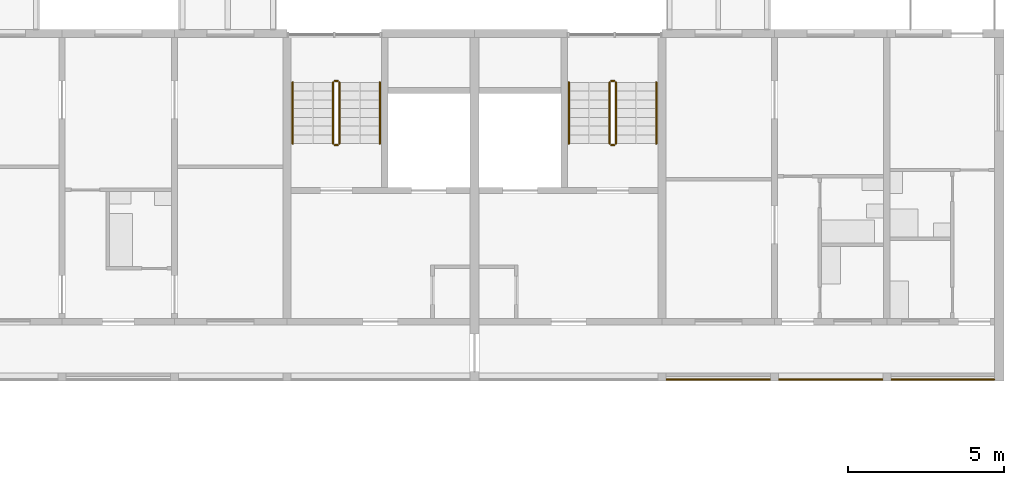
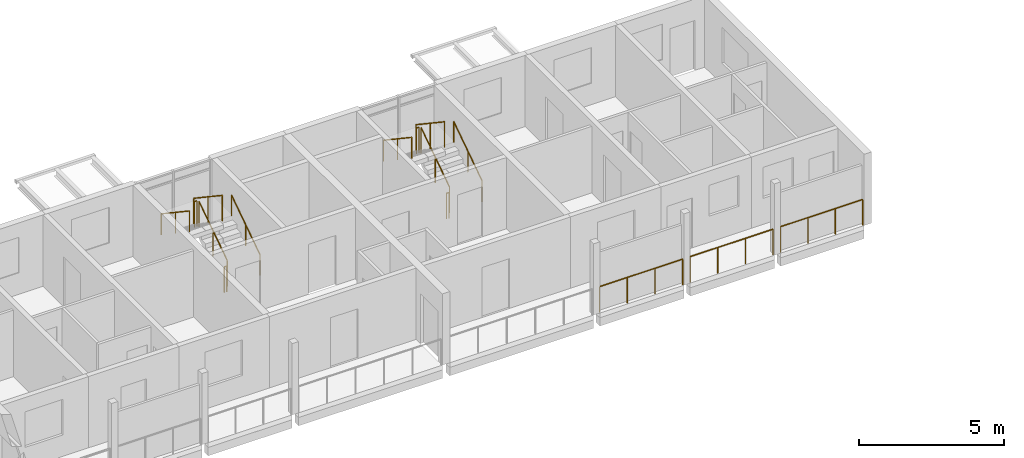
# One storey, part 95 of 99: 15 railings.
"""IFC4 building model written with IfcOpenShell, lengths in metres."""

from ifc_helpers import new_model, si_unit, direction, frame, origin, origin_2d, place, context, subcontext, project, spatial, circle, extrude, material, type_object, element, save


model = new_model("IFC4")

# Units and contexts
model_context = context("Model", 3, precision=1e-05, world=origin(), true_north=direction((0.0, 1.0)))
body_context = subcontext(model_context, "Body", "Model", "MODEL_VIEW")
ifc_project = project(units=[si_unit("LENGTHUNIT", "METRE"), si_unit("AREAUNIT", "SQUARE_METRE"), si_unit("VOLUMEUNIT", "CUBIC_METRE"), si_unit("PLANEANGLEUNIT", "RADIAN"), si_unit("MASSUNIT", "GRAM", prefix="KILO")], contexts=[model_context])

# Site, building, storey
site_placement = place(None, origin())
site = spatial("IfcSite", under=ifc_project, at=site_placement, CompositionType="ELEMENT")
building_placement = place(site_placement, origin())
building = spatial("IfcBuilding", under=site, at=building_placement, Name="Ridgestep Commons", CompositionType="ELEMENT")
storey_placement = place(building_placement, frame((0.0, 0.0, 15.0)))
storey = spatial("IfcBuildingStorey", under=building, at=storey_placement, Name="L05", CompositionType="ELEMENT", Elevation=15.0)

# Railings
ifc_material_1 = material(Name="Structural steel S355JR", Category="steel")
railing_type_1 = type_object("IfcRailingType", Name="Guard 1100", PredefinedType="GUARDRAIL", material=ifc_material_1)
railing_1_placement = place(storey_placement, frame((236.946044921875, 66.050048828125, 0.0)))
element("IfcRailing", 1, at=railing_1_placement, inside=storey, type_object=railing_type_1, Name="Gallery guard C 05.22", PredefinedType="GUARDRAIL", context=body_context, shape_type="SweptSolid", body=[
    extrude(circle(Radius=0.02392578125, at=origin_2d()), frame((0.0, 0.0, 1.076171875), z_axis=(1.0, 0.0, 0.0), x_axis=(0.0, 1.0, 0.0)), (0.0, 0.0, 1.0), 3.307861328125),
    extrude(circle(Radius=0.02099609375, at=origin_2d()), origin(), (0.0, 0.0, 1.0), 1.052001953125),
    extrude(circle(Radius=0.02099609375, at=origin_2d()), frame((1.1025390625, 0.0, 0.0)), (0.0, 0.0, 1.0), 1.052001953125),
    extrude(circle(Radius=0.02099609375, at=origin_2d()), frame((2.205322265625, 0.0, 0.0)), (0.0, 0.0, 1.0), 1.052001953125),
    extrude(circle(Radius=0.02099609375, at=origin_2d()), frame((3.307861328125, 0.0, 0.0)), (0.0, 0.0, 1.0), 1.052001953125),
])
railing_2_placement = place(storey_placement, frame((240.5458984375, 66.050048828125, 0.0)))
element("IfcRailing", 2, at=railing_2_placement, inside=storey, type_object=railing_type_1, Name="Gallery guard C 05.23", PredefinedType="GUARDRAIL", context=body_context, shape_type="SweptSolid", body=[
    extrude(circle(Radius=0.02392578125, at=origin_2d()), frame((0.0, 0.0, 1.076171875), z_axis=(1.0, 0.0, 0.0), x_axis=(0.0, 1.0, 0.0)), (0.0, 0.0, 1.0), 3.30810546875),
    extrude(circle(Radius=0.02099609375, at=origin_2d()), origin(), (0.0, 0.0, 1.0), 1.052001953125),
    extrude(circle(Radius=0.02099609375, at=origin_2d()), frame((1.102783203125, 0.0, 0.0)), (0.0, 0.0, 1.0), 1.052001953125),
    extrude(circle(Radius=0.02099609375, at=origin_2d()), frame((2.205322265625, 0.0, 0.0)), (0.0, 0.0, 1.0), 1.052001953125),
    extrude(circle(Radius=0.02099609375, at=origin_2d()), frame((3.30810546875, 0.0, 0.0)), (0.0, 0.0, 1.0), 1.052001953125),
])
railing_3_placement = place(storey_placement, frame((244.14599609375, 66.050048828125, 0.0)))
element("IfcRailing", 3, at=railing_3_placement, inside=storey, type_object=railing_type_1, Name="Gallery guard C 05.24", PredefinedType="GUARDRAIL", context=body_context, shape_type="SweptSolid", body=[
    extrude(circle(Radius=0.02392578125, at=origin_2d()), frame((0.0, 0.0, 1.076171875), z_axis=(1.0, 0.0, 0.0), x_axis=(0.0, 1.0, 0.0)), (0.0, 0.0, 1.0), 3.282958984375),
    extrude(circle(Radius=0.02099609375, at=origin_2d()), origin(), (0.0, 0.0, 1.0), 1.052001953125),
    extrude(circle(Radius=0.02099609375, at=origin_2d()), frame((1.09423828125, 0.0, 0.0)), (0.0, 0.0, 1.0), 1.052001953125),
    extrude(circle(Radius=0.02099609375, at=origin_2d()), frame((2.188720703125, 0.0, 0.0)), (0.0, 0.0, 1.0), 1.052001953125),
    extrude(circle(Radius=0.02099609375, at=origin_2d()), frame((3.282958984375, 0.0, 0.0)), (0.0, 0.0, 1.0), 1.052001953125),
])
ifc_material_2 = material(Name="Structural steel S355JR", Category="steel")
railing_type_2 = type_object("IfcRailingType", Name="Stair guard 1100", PredefinedType="GUARDRAIL", material=ifc_material_2)
railing_4_placement = place(storey_placement, frame((226.47509765625, 73.60009765625, 0.1875)))
element("IfcRailing", 4, at=railing_4_placement, inside=storey, type_object=railing_type_2, Name="L05 C5C stair guard 1", PredefinedType="GUARDRAIL", context=body_context, shape_type="SweptSolid", body=[
    extrude(circle(Radius=0.02392578125, at=origin_2d()), frame((0.0, 0.0, 1.076171875), z_axis=(0.0, 0.830902050051, 0.556418712142), x_axis=(-1.0, 0.0, 0.0)), (0.0, 0.0, 1.0), 2.35888671875),
    extrude(circle(Radius=0.02099609375, at=origin_2d()), origin(), (0.0, 0.0, 1.0), 1.052001953125),
    extrude(circle(Radius=0.02099609375, at=origin_2d()), frame((0.0, 0.97998046875, 0.65625)), (0.0, 0.0, 1.0), 1.052001953125),
    extrude(circle(Radius=0.02099609375, at=origin_2d()), frame((0.0, 1.9599609375, 1.3125)), (0.0, 0.0, 1.0), 1.052001953125),
])
railing_5_placement = place(storey_placement, frame((226.425048828125, 75.610107421875, 1.5)))
element("IfcRailing", 5, at=railing_5_placement, inside=storey, type_object=railing_type_2, Name="L05 C5C stair guard 2", PredefinedType="GUARDRAIL", context=body_context, shape_type="SweptSolid", body=[
    extrude(circle(Radius=0.02392578125, at=origin_2d()), frame((0.0, 0.0, 1.076171875), z_axis=(-1.0, 0.0, 0.0), x_axis=(0.0, -1.0, 0.0)), (0.0, 0.0, 1.0), 0.10009765625),
    extrude(circle(Radius=0.02099609375, at=origin_2d()), origin(), (0.0, 0.0, 1.0), 1.052001953125),
    extrude(circle(Radius=0.02099609375, at=origin_2d()), frame((-0.10009765625, 0.0, 0.0)), (0.0, 0.0, 1.0), 1.052001953125),
])
railing_6_placement = place(storey_placement, frame((226.27490234375, 75.56005859375, 1.6875)))
element("IfcRailing", 6, at=railing_6_placement, inside=storey, type_object=railing_type_2, Name="L05 C5C stair guard 3", PredefinedType="GUARDRAIL", context=body_context, shape_type="SweptSolid", body=[
    extrude(circle(Radius=0.02392578125, at=origin_2d()), frame((0.0, 0.0, 1.076171875), z_axis=(0.0, -0.830902050051, 0.556418712142), x_axis=(1.0, 0.0, 0.0)), (0.0, 0.0, 1.0), 2.35888671875),
    extrude(circle(Radius=0.02099609375, at=origin_2d()), origin(), (0.0, 0.0, 1.0), 1.052001953125),
    extrude(circle(Radius=0.02099609375, at=origin_2d()), frame((0.0, -0.97998046875, 0.65625)), (0.0, 0.0, 1.0), 1.052001953125),
    extrude(circle(Radius=0.02099609375, at=origin_2d()), frame((0.0, -1.9599609375, 1.3125)), (0.0, 0.0, 1.0), 1.052001953125),
])
railing_7_placement = place(storey_placement, frame((226.425048828125, 73.550048828125, 0.0)))
element("IfcRailing", 7, at=railing_7_placement, inside=storey, type_object=railing_type_2, Name="L05 C5C stair guard 4", PredefinedType="GUARDRAIL", context=body_context, shape_type="SweptSolid", body=[
    extrude(circle(Radius=0.02392578125, at=origin_2d()), frame((0.0, 0.0, 1.076171875), z_axis=(-1.0, 0.0, 0.0), x_axis=(0.0, -1.0, 0.0)), (0.0, 0.0, 1.0), 0.10009765625),
    extrude(circle(Radius=0.02099609375, at=origin_2d()), origin(), (0.0, 0.0, 1.0), 1.052001953125),
    extrude(circle(Radius=0.02099609375, at=origin_2d()), frame((-0.10009765625, 0.0, 0.0)), (0.0, 0.0, 1.0), 1.052001953125),
])
railing_8_placement = place(storey_placement, frame((235.324951171875, 73.60009765625, 0.1875)))
element("IfcRailing", 8, at=railing_8_placement, inside=storey, type_object=railing_type_2, Name="L05 C6C stair guard 1", PredefinedType="GUARDRAIL", context=body_context, shape_type="SweptSolid", body=[
    extrude(circle(Radius=0.02392578125, at=origin_2d()), frame((0.0, 0.0, 1.076171875), z_axis=(0.0, 0.830902050051, 0.556418712142), x_axis=(-1.0, 0.0, 0.0)), (0.0, 0.0, 1.0), 2.35888671875),
    extrude(circle(Radius=0.02099609375, at=origin_2d()), origin(), (0.0, 0.0, 1.0), 1.052001953125),
    extrude(circle(Radius=0.02099609375, at=origin_2d()), frame((0.0, 0.97998046875, 0.65625)), (0.0, 0.0, 1.0), 1.052001953125),
    extrude(circle(Radius=0.02099609375, at=origin_2d()), frame((0.0, 1.9599609375, 1.3125)), (0.0, 0.0, 1.0), 1.052001953125),
])
railing_9_placement = place(storey_placement, frame((235.27490234375, 75.610107421875, 1.5)))
element("IfcRailing", 9, at=railing_9_placement, inside=storey, type_object=railing_type_2, Name="L05 C6C stair guard 2", PredefinedType="GUARDRAIL", context=body_context, shape_type="SweptSolid", body=[
    extrude(circle(Radius=0.02392578125, at=origin_2d()), frame((0.0, 0.0, 1.076171875), z_axis=(-1.0, 0.0, 0.0), x_axis=(0.0, -1.0, 0.0)), (0.0, 0.0, 1.0), 0.099853515625),
    extrude(circle(Radius=0.02099609375, at=origin_2d()), origin(), (0.0, 0.0, 1.0), 1.052001953125),
    extrude(circle(Radius=0.02099609375, at=origin_2d()), frame((-0.099853515625, 0.0, 0.0)), (0.0, 0.0, 1.0), 1.052001953125),
])
railing_10_placement = place(storey_placement, frame((235.125, 75.56005859375, 1.6875)))
element("IfcRailing", 10, at=railing_10_placement, inside=storey, type_object=railing_type_2, Name="L05 C6C stair guard 3", PredefinedType="GUARDRAIL", context=body_context, shape_type="SweptSolid", body=[
    extrude(circle(Radius=0.02392578125, at=origin_2d()), frame((0.0, 0.0, 1.076171875), z_axis=(0.0, -0.830902050051, 0.556418712142), x_axis=(1.0, 0.0, 0.0)), (0.0, 0.0, 1.0), 2.35888671875),
    extrude(circle(Radius=0.02099609375, at=origin_2d()), origin(), (0.0, 0.0, 1.0), 1.052001953125),
    extrude(circle(Radius=0.02099609375, at=origin_2d()), frame((0.0, -0.97998046875, 0.65625)), (0.0, 0.0, 1.0), 1.052001953125),
    extrude(circle(Radius=0.02099609375, at=origin_2d()), frame((0.0, -1.9599609375, 1.3125)), (0.0, 0.0, 1.0), 1.052001953125),
])
railing_11_placement = place(storey_placement, frame((235.27490234375, 73.550048828125, 0.0)))
element("IfcRailing", 11, at=railing_11_placement, inside=storey, type_object=railing_type_2, Name="L05 C6C stair guard 4", PredefinedType="GUARDRAIL", context=body_context, shape_type="SweptSolid", body=[
    extrude(circle(Radius=0.02392578125, at=origin_2d()), frame((0.0, 0.0, 1.076171875), z_axis=(-1.0, 0.0, 0.0), x_axis=(0.0, -1.0, 0.0)), (0.0, 0.0, 1.0), 0.099853515625),
    extrude(circle(Radius=0.02099609375, at=origin_2d()), origin(), (0.0, 0.0, 1.0), 1.052001953125),
    extrude(circle(Radius=0.02099609375, at=origin_2d()), frame((-0.099853515625, 0.0, 0.0)), (0.0, 0.0, 1.0), 1.052001953125),
])
ifc_material_3 = material(Name="Structural steel S355JR", Category="steel")
railing_type_3 = type_object("IfcRailingType", Name="Stair handrail 900", PredefinedType="HANDRAIL", material=ifc_material_3)
railing_12_placement = place(storey_placement, frame((227.77490234375, 73.60009765625, 0.1875)))
element("IfcRailing", 12, at=railing_12_placement, inside=storey, type_object=railing_type_3, Name="L05 C5C stair handrail 1", PredefinedType="HANDRAIL", context=body_context, shape_type="SweptSolid", body=[
    extrude(circle(Radius=0.02392578125, at=origin_2d()), frame((0.0, 0.0, 0.8759765625), z_axis=(0.0, 0.830902050051, 0.556418712142), x_axis=(-1.0, 0.0, 0.0)), (0.0, 0.0, 1.0), 2.35888671875),
    extrude(circle(Radius=0.02099609375, at=origin_2d()), origin(), (0.0, 0.0, 1.0), 0.851806640625),
    extrude(circle(Radius=0.02099609375, at=origin_2d()), frame((0.0, 0.97998046875, 0.65625)), (0.0, 0.0, 1.0), 0.851806640625),
    extrude(circle(Radius=0.02099609375, at=origin_2d()), frame((0.0, 1.9599609375, 1.3125)), (0.0, 0.0, 1.0), 0.851806640625),
])
railing_13_placement = place(storey_placement, frame((224.97509765625, 75.56005859375, 1.6875)))
element("IfcRailing", 13, at=railing_13_placement, inside=storey, type_object=railing_type_3, Name="L05 C5C stair handrail 2", PredefinedType="HANDRAIL", context=body_context, shape_type="SweptSolid", body=[
    extrude(circle(Radius=0.02392578125, at=origin_2d()), frame((0.0, 0.0, 0.8759765625), z_axis=(0.0, -0.830902050051, 0.556418712142), x_axis=(1.0, 0.0, 0.0)), (0.0, 0.0, 1.0), 2.35888671875),
    extrude(circle(Radius=0.02099609375, at=origin_2d()), origin(), (0.0, 0.0, 1.0), 0.851806640625),
    extrude(circle(Radius=0.02099609375, at=origin_2d()), frame((0.0, -0.97998046875, 0.65625)), (0.0, 0.0, 1.0), 0.851806640625),
    extrude(circle(Radius=0.02099609375, at=origin_2d()), frame((0.0, -1.9599609375, 1.3125)), (0.0, 0.0, 1.0), 0.851806640625),
])
railing_14_placement = place(storey_placement, frame((236.625, 73.60009765625, 0.1875)))
element("IfcRailing", 14, at=railing_14_placement, inside=storey, type_object=railing_type_3, Name="L05 C6C stair handrail 1", PredefinedType="HANDRAIL", context=body_context, shape_type="SweptSolid", body=[
    extrude(circle(Radius=0.02392578125, at=origin_2d()), frame((0.0, 0.0, 0.8759765625), z_axis=(0.0, 0.830902050051, 0.556418712142), x_axis=(-1.0, 0.0, 0.0)), (0.0, 0.0, 1.0), 2.35888671875),
    extrude(circle(Radius=0.02099609375, at=origin_2d()), origin(), (0.0, 0.0, 1.0), 0.851806640625),
    extrude(circle(Radius=0.02099609375, at=origin_2d()), frame((0.0, 0.97998046875, 0.65625)), (0.0, 0.0, 1.0), 0.851806640625),
    extrude(circle(Radius=0.02099609375, at=origin_2d()), frame((0.0, 1.9599609375, 1.3125)), (0.0, 0.0, 1.0), 0.851806640625),
])
railing_15_placement = place(storey_placement, frame((233.824951171875, 75.56005859375, 1.6875)))
element("IfcRailing", 15, at=railing_15_placement, inside=storey, type_object=railing_type_3, Name="L05 C6C stair handrail 2", PredefinedType="HANDRAIL", context=body_context, shape_type="SweptSolid", body=[
    extrude(circle(Radius=0.02392578125, at=origin_2d()), frame((0.0, 0.0, 0.8759765625), z_axis=(0.0, -0.830902050051, 0.556418712142), x_axis=(1.0, 0.0, 0.0)), (0.0, 0.0, 1.0), 2.35888671875),
    extrude(circle(Radius=0.02099609375, at=origin_2d()), origin(), (0.0, 0.0, 1.0), 0.851806640625),
    extrude(circle(Radius=0.02099609375, at=origin_2d()), frame((0.0, -0.97998046875, 0.65625)), (0.0, 0.0, 1.0), 0.851806640625),
    extrude(circle(Radius=0.02099609375, at=origin_2d()), frame((0.0, -1.9599609375, 1.3125)), (0.0, 0.0, 1.0), 0.851806640625),
])

save(model, "model.ifc")
